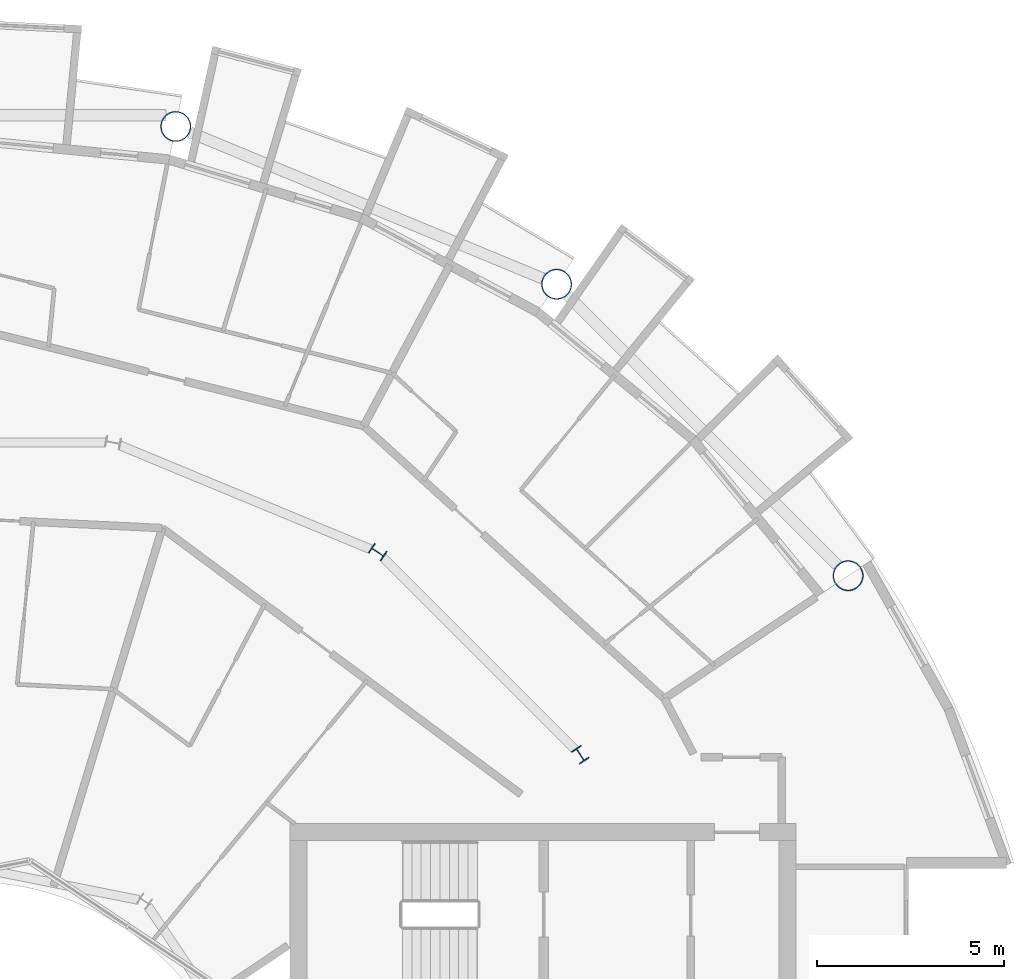
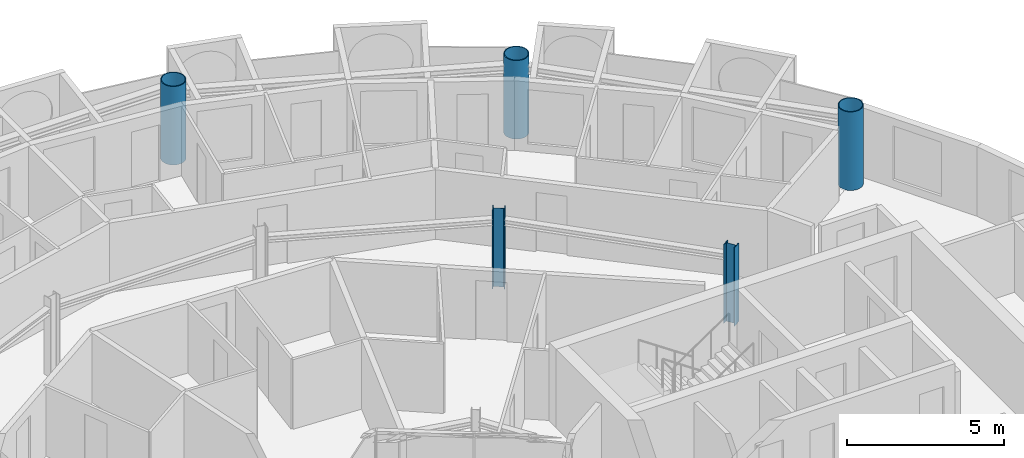
# One storey, part 5 of 29: 5 columns.
"""IFC4 building model written with IfcOpenShell, lengths in metres."""

from ifc_helpers import new_model, si_unit, direction, frame, origin, origin_2d, place, context, subcontext, project, spatial, hollow_circle, i_section, extrude, material, material_profile, profile_set, type_object, element, save


model = new_model("IFC4")

# Units and contexts
model_context = context("Model", 3, precision=1e-05, world=origin(), true_north=direction((0.0, 1.0)))
body_context = subcontext(model_context, "Body", "Model", "MODEL_VIEW")
ifc_project = project(units=[si_unit("LENGTHUNIT", "METRE"), si_unit("AREAUNIT", "SQUARE_METRE"), si_unit("VOLUMEUNIT", "CUBIC_METRE"), si_unit("PLANEANGLEUNIT", "RADIAN"), si_unit("MASSUNIT", "GRAM", prefix="KILO")], contexts=[model_context])

# Site, building, storey
site_placement = place(None, origin())
site = spatial("IfcSite", under=ifc_project, at=site_placement, CompositionType="ELEMENT")
building_placement = place(site_placement, origin())
building = spatial("IfcBuilding", under=site, at=building_placement, Name="Maasbend Ring Residences", CompositionType="ELEMENT")
storey_placement = place(building_placement, frame((0.0, 0.0, 193.25)))
storey = spatial("IfcBuildingStorey", under=building, at=storey_placement, Name="L55", CompositionType="ELEMENT", Elevation=193.25)

# Columns
ifc_material_1 = material(Name="Composite concrete-filled steel tube S460NH / C80/95", Category="concrete")
ifc_material_profile_1 = material_profile(ifc_material_1, hollow_circle(Radius=0.406494140625, WallThickness=0.030029296875, at=origin_2d()), Name="Composite tube column CHS 813x30")
ifc_profile_set_1 = profile_set([ifc_material_profile_1], Name="Composite concrete-filled steel tube S460NH / C80/95")
column_type_1 = type_object("IfcColumnType", Name="Composite tube column CHS 813x30", PredefinedType="COLUMN", material=ifc_profile_set_1)
for number, where, z_axis, x_axis, name in (
    (1, (23.447509765625, 15.6669921875, 0.0), (0.0, 0.0, 1.0), (1.0, 0.0, 0.0), "Outer column R2"),
    (2, (15.6669921875, 23.447509765625, 0.0), (0.0, 0.0, 1.0), (1.0, 0.0, 0.0), "Outer column R3"),
    (3, (5.50146484375, 27.658203125, 0.0), (0.0, 0.0, 1.0), (1.0, 0.0, 0.0), "Outer column R4"),
):
    element("IfcColumn", number, at=place(storey_placement, frame(where, z_axis=z_axis, x_axis=x_axis)), inside=storey, type_object=column_type_1, Name=name, PredefinedType="COLUMN", context=body_context, shape_type="SweptSolid", body=[
        extrude(hollow_circle(Radius=0.406494140625, WallThickness=0.030029296875, at=origin_2d()), origin(), (0.0, 0.0, 1.0), 3.050048828125),
    ])
ifc_material_2 = material(Name="Steel S355J2", Category="steel")
ifc_material_profile_2 = material_profile(ifc_material_2, i_section(OverallWidth=0.300048828125, OverallDepth=0.39990234375, WebThickness=0.013427734375, FlangeThickness=0.02392578125, FilletRadius=0.027099609375, at=origin_2d()), Name="HEB 400")
ifc_profile_set_2 = profile_set([ifc_material_profile_2], Name="Steel S355J2")
column_type_2 = type_object("IfcColumnType", Name="Steel column HEB 400", PredefinedType="COLUMN", material=ifc_profile_set_2)
for number, where, z_axis, x_axis, name in (
    (4, (16.296875, 10.88916015625, 0.0), (0.0, 0.0, 1.0), (0.831469612303, 0.55557023302, 0.0), "Corridor ring column R2"),
    (5, (10.88916015625, 16.296875, 0.0), (0.0, 0.0, 1.0), (0.55557023302, 0.831469612303, 0.0), "Corridor ring column R3"),
):
    element("IfcColumn", number, at=place(storey_placement, frame(where, z_axis=z_axis, x_axis=x_axis)), inside=storey, type_object=column_type_2, Name=name, PredefinedType="COLUMN", context=body_context, shape_type="SweptSolid", body=[
        extrude(i_section(OverallWidth=0.300048828125, OverallDepth=0.39990234375, WebThickness=0.013427734375, FlangeThickness=0.02392578125, FilletRadius=0.027099609375, at=origin_2d()), origin(), (0.0, 0.0, 1.0), 3.050048828125),
    ])

save(model, "model.ifc")
